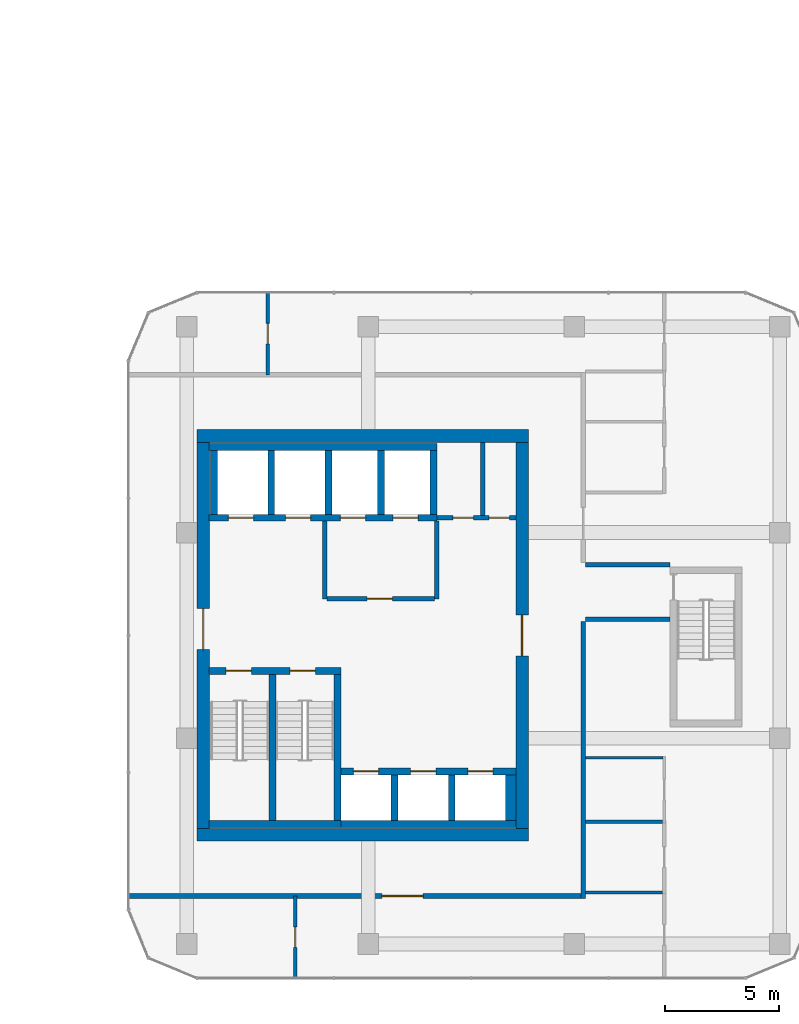
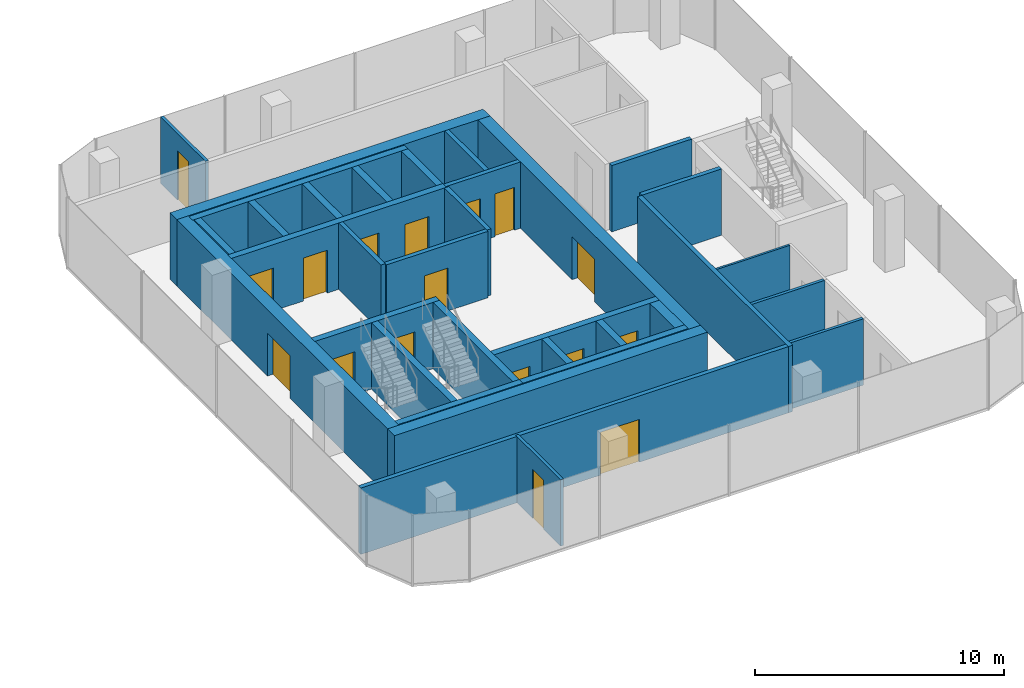
# One storey, part 18 of 23: 34 walls, 17 doors, 17 openings.
"""IFC4 building model written with IfcOpenShell, lengths in metres."""

from ifc_helpers import new_model, si_unit, direction, frame, frame_2d, origin, place, context, subcontext, project, spatial, rectangle, extrude, material, layer, layer_set, type_object, element, fill, save


model = new_model("IFC4")

# Units and contexts
model_context = context("Model", 3, precision=1e-05, world=origin(), true_north=direction((0.0, 1.0)))
body_context = subcontext(model_context, "Body", "Model", "MODEL_VIEW")
ifc_project = project(units=[si_unit("LENGTHUNIT", "METRE"), si_unit("AREAUNIT", "SQUARE_METRE"), si_unit("VOLUMEUNIT", "CUBIC_METRE"), si_unit("PLANEANGLEUNIT", "RADIAN"), si_unit("MASSUNIT", "GRAM", prefix="KILO")], contexts=[model_context])

# Site, building, storey
site_placement = place(None, origin())
site = spatial("IfcSite", under=ifc_project, at=site_placement, CompositionType="ELEMENT")
building_placement = place(site_placement, origin())
building = spatial("IfcBuilding", under=site, at=building_placement, Name="Plateau Cross Towers", CompositionType="ELEMENT")
storey_placement = place(building_placement, frame((0.0, 0.0, 33.800048828125)))
storey = spatial("IfcBuildingStorey", under=building, at=storey_placement, Name="L07", CompositionType="ELEMENT", Elevation=33.800048828125)

# Wall
ifc_material_1 = material(Name="Concrete block, plastered both sides", Category="concrete")
ifc_layer_1 = layer(ifc_material_1, 0.199951171875)
ifc_layer_set_1 = layer_set([ifc_layer_1], Name="Concrete block, plastered both sides")
wall_type_1 = type_object("IfcWallType", Name="Core partition 200", PredefinedType="PARTITIONING", material=ifc_layer_set_1)
wall_1_placement = place(storey_placement, frame((80.60009765625, 10.60009765625, 0.0), z_axis=(0.0, 0.0, 1.0), x_axis=(0.0, 1.0, 0.0)))
element("IfcWall", 1, at=wall_1_placement, inside=storey, type_object=wall_type_1, Name="Core partition", PredefinedType="PARTITIONING", context=body_context, shape_type="SweptSolid", body=[
    extrude(rectangle(XDim=3.39990234375, YDim=0.199951171875, at=frame_2d((1.699951171875, 0.0))), origin(), (0.0, 0.0, 1.0), 3.25),
])

# Wall, opening, door
wall_2_placement = place(storey_placement, frame((80.699951171875, 10.60009765625, 0.0), z_axis=(0.0, 0.0, 1.0), x_axis=(1.0, 0.0, 0.0)))
wall_2 = element("IfcWall", 2, at=wall_2_placement, inside=storey, type_object=wall_type_1, Name="Core partition", PredefinedType="PARTITIONING", context=body_context, shape_type="SweptSolid", body=[
    extrude(rectangle(XDim=4.699951171875, YDim=0.199951171875, at=frame_2d((2.35009765625, 0.0))), origin(), (0.0, 0.0, 1.0), 3.25),
])
opening_1_placement = place(wall_2_placement, frame((1.75, 0.0, 0.0)))
opening_1 = element("IfcOpeningElement", 3, at=opening_1_placement, cuts=wall_2, Name="Opening FFD", PredefinedType="OPENING", context=body_context, shape_type="SweptSolid", body=[
    extrude(rectangle(XDim=1.10009765625, YDim=2.10009765625, at=frame_2d((0.550048828125, 1.050048828125))), frame((0.0, 0.10986328125, 0.0), z_axis=(0.0, -1.0, 0.0), x_axis=(1.0, 0.0, 0.0)), (0.0, 0.0, 1.0), 0.219970703125),
])
ifc_material_2 = material(Name="Steel, fire-resisting leaf", Category="steel")
door_type_1 = type_object("IfcDoorType", Name="Firefighting lobby door 1100", OperationType="NOTDEFINED", PredefinedType="DOOR", material=ifc_material_2)
door_1_placement = place(opening_1_placement, origin())
door_1 = element("IfcDoor", 4, at=door_1_placement, inside=storey, type_object=door_type_1, Name="Firefighting lobby door FFD", OperationType="SINGLE_SWING_LEFT", OverallHeight=2.10009765625, OverallWidth=1.10009765625, PredefinedType="DOOR", context=body_context, shape_type="SweptSolid", body=[
    extrude(rectangle(XDim=1.10009765625, YDim=2.10009765625, at=frame_2d((0.550048828125, 1.050048828125))), frame((0.0, 0.02490234375, 0.0), z_axis=(0.0, -1.0, 0.0), x_axis=(1.0, 0.0, 0.0)), (0.0, 0.0, 1.0), 0.050048828125),
])
fill(opening_1, door_1)

# Wall
wall_3_placement = place(storey_placement, frame((85.5, 10.60009765625, 0.0), z_axis=(0.0, 0.0, 1.0), x_axis=(0.0, 1.0, 0.0)))
element("IfcWall", 5, at=wall_3_placement, inside=storey, type_object=wall_type_1, Name="Core partition", PredefinedType="PARTITIONING", context=body_context, shape_type="SweptSolid", body=[
    extrude(rectangle(XDim=3.39990234375, YDim=0.199951171875, at=frame_2d((1.699951171875, 0.0))), origin(), (0.0, 0.0, 1.0), 3.25),
])

# Wall, openings, doors
wall_4_placement = place(storey_placement, frame((85.5, 14.14990234375, 0.0), z_axis=(0.0, 0.0, 1.0), x_axis=(1.0, 0.0, 0.0)))
wall_4 = element("IfcWall", 6, at=wall_4_placement, inside=storey, type_object=wall_type_1, Name="Core partition", PredefinedType="PARTITIONING", context=body_context, shape_type="SweptSolid", body=[
    extrude(rectangle(XDim=3.449951171875, YDim=0.199951171875, at=frame_2d((1.72509765625, 0.0))), origin(), (0.0, 0.0, 1.0), 3.25),
])
opening_2_placement = place(wall_4_placement, frame((0.699951171875, 0.0, 0.0)))
opening_2 = element("IfcOpeningElement", 7, at=opening_2_placement, cuts=wall_4, Name="Opening RD2", PredefinedType="OPENING", context=body_context, shape_type="SweptSolid", body=[
    extrude(rectangle(XDim=0.89990234375, YDim=2.10009765625, at=frame_2d((0.449951171875, 1.050048828125))), frame((0.0, 0.10986328125, 0.0), z_axis=(0.0, -1.0, 0.0), x_axis=(1.0, 0.0, 0.0)), (0.0, 0.0, 1.0), 0.219970703125),
])
opening_3_placement = place(wall_4_placement, frame((2.27490234375, 0.0, 0.0)))
opening_3 = element("IfcOpeningElement", 8, at=opening_3_placement, cuts=wall_4, Name="Opening RD2", PredefinedType="OPENING", context=body_context, shape_type="SweptSolid", body=[
    extrude(rectangle(XDim=0.89990234375, YDim=2.10009765625, at=frame_2d((0.449951171875, 1.050048828125))), frame((0.0, 0.10986328125, 0.0), z_axis=(0.0, -1.0, 0.0), x_axis=(1.0, 0.0, 0.0)), (0.0, 0.0, 1.0), 0.219970703125),
])
door_type_2 = type_object("IfcDoorType", Name="Core riser door 900", OperationType="NOTDEFINED", PredefinedType="DOOR", material=ifc_material_2)
door_2_placement = place(opening_2_placement, origin())
door_2 = element("IfcDoor", 9, at=door_2_placement, inside=storey, type_object=door_type_2, Name="Core riser door RD2", OperationType="SINGLE_SWING_LEFT", OverallHeight=2.10009765625, OverallWidth=0.89990234375, PredefinedType="DOOR", context=body_context, shape_type="SweptSolid", body=[
    extrude(rectangle(XDim=0.89990234375, YDim=2.10009765625, at=frame_2d((0.449951171875, 1.050048828125))), frame((0.0, 0.02490234375, 0.0), z_axis=(0.0, -1.0, 0.0), x_axis=(1.0, 0.0, 0.0)), (0.0, 0.0, 1.0), 0.050048828125),
])
fill(opening_2, door_2)
door_3_placement = place(opening_3_placement, origin())
door_3 = element("IfcDoor", 10, at=door_3_placement, inside=storey, type_object=door_type_2, Name="Core riser door RD2", OperationType="SINGLE_SWING_LEFT", OverallHeight=2.10009765625, OverallWidth=0.89990234375, PredefinedType="DOOR", context=body_context, shape_type="SweptSolid", body=[
    extrude(rectangle(XDim=0.89990234375, YDim=2.10009765625, at=frame_2d((0.449951171875, 1.050048828125))), frame((0.0, 0.02490234375, 0.0), z_axis=(0.0, -1.0, 0.0), x_axis=(1.0, 0.0, 0.0)), (0.0, 0.0, 1.0), 0.050048828125),
])
fill(opening_3, door_3)

# Walls
wall_5_placement = place(storey_placement, frame((87.5, 14.25, 0.0), z_axis=(0.0, 0.0, 1.0), x_axis=(0.0, 1.0, 0.0)))
element("IfcWall", 11, at=wall_5_placement, inside=storey, type_object=wall_type_1, Name="Core partition", PredefinedType="PARTITIONING", context=body_context, shape_type="SweptSolid", body=[
    extrude(rectangle(XDim=3.199951171875, YDim=0.199951171875, at=frame_2d((1.60009765625, 0.0))), origin(), (0.0, 0.0, 1.0), 3.25),
])
ifc_material_3 = material(Name="Concrete C60/75", Category="concrete")
ifc_layer_2 = layer(ifc_material_3, 0.300048828125)
ifc_layer_set_2 = layer_set([ifc_layer_2], Name="Concrete C60/75")
wall_type_2 = type_object("IfcWallType", Name="Core shaft wall 300", PredefinedType="SHEAR", material=ifc_layer_set_2)
wall_6_placement = place(storey_placement, frame((75.530029296875, 0.75, 0.0), z_axis=(0.0, 0.0, 1.0), x_axis=(1.0, 0.0, 0.0)))
element("IfcWall", 12, at=wall_6_placement, inside=storey, type_object=wall_type_2, Name="B-sb-stS@L07", PredefinedType="SHEAR", context=body_context, shape_type="SweptSolid", body=[
    extrude(rectangle(XDim=5.77001953125, YDim=0.300048828125, at=frame_2d((2.885009765625, 0.0))), origin(), (0.0, 0.0, 1.0), 3.25),
])

# Wall, openings, doors
wall_7_placement = place(storey_placement, frame((75.530029296875, 7.449951171875, 0.0), z_axis=(0.0, 0.0, 1.0), x_axis=(1.0, 0.0, 0.0)))
wall_7 = element("IfcWall", 13, at=wall_7_placement, inside=storey, type_object=wall_type_2, Name="B-sb-stN@L07", PredefinedType="SHEAR", context=body_context, shape_type="SweptSolid", body=[
    extrude(rectangle(XDim=5.77001953125, YDim=0.300048828125, at=frame_2d((2.885009765625, 0.0))), origin(), (0.0, 0.0, 1.0), 3.25),
])
opening_4_placement = place(wall_7_placement, frame((0.75, 0.0, 0.0)))
opening_4 = element("IfcOpeningElement", 14, at=opening_4_placement, cuts=wall_7, Name="Opening SD", PredefinedType="OPENING", context=body_context, shape_type="SweptSolid", body=[
    extrude(rectangle(XDim=1.10009765625, YDim=2.10009765625, at=frame_2d((0.550048828125, 1.050048828125))), frame((0.0, 0.159912109375, 0.0), z_axis=(0.0, -1.0, 0.0), x_axis=(1.0, 0.0, 0.0)), (0.0, 0.0, 1.0), 0.320068359375),
])
opening_5_placement = place(wall_7_placement, frame((3.550048828125, 0.0, 0.0)))
opening_5 = element("IfcOpeningElement", 15, at=opening_5_placement, cuts=wall_7, Name="Opening SD", PredefinedType="OPENING", context=body_context, shape_type="SweptSolid", body=[
    extrude(rectangle(XDim=1.10009765625, YDim=2.10009765625, at=frame_2d((0.550048828125, 1.050048828125))), frame((0.0, 0.159912109375, 0.0), z_axis=(0.0, -1.0, 0.0), x_axis=(1.0, 0.0, 0.0)), (0.0, 0.0, 1.0), 0.320068359375),
])
door_type_3 = type_object("IfcDoorType", Name="Stair door 1100", OperationType="NOTDEFINED", PredefinedType="DOOR", material=ifc_material_2)
door_4_placement = place(opening_4_placement, origin())
door_4 = element("IfcDoor", 16, at=door_4_placement, inside=storey, type_object=door_type_3, Name="Stair door SD", OperationType="SINGLE_SWING_RIGHT", OverallHeight=2.10009765625, OverallWidth=1.10009765625, PredefinedType="DOOR", context=body_context, shape_type="SweptSolid", body=[
    extrude(rectangle(XDim=1.10009765625, YDim=2.10009765625, at=frame_2d((0.550048828125, 1.050048828125))), frame((0.0, 0.02490234375, 0.0), z_axis=(0.0, -1.0, 0.0), x_axis=(1.0, 0.0, 0.0)), (0.0, 0.0, 1.0), 0.050048828125),
])
fill(opening_4, door_4)
door_5_placement = place(opening_5_placement, origin())
door_5 = element("IfcDoor", 17, at=door_5_placement, inside=storey, type_object=door_type_3, Name="Stair door SD", OperationType="SINGLE_SWING_LEFT", OverallHeight=2.10009765625, OverallWidth=1.10009765625, PredefinedType="DOOR", context=body_context, shape_type="SweptSolid", body=[
    extrude(rectangle(XDim=1.10009765625, YDim=2.10009765625, at=frame_2d((0.550048828125, 1.050048828125))), frame((0.0, 0.02490234375, 0.0), z_axis=(0.0, -1.0, 0.0), x_axis=(1.0, 0.0, 0.0)), (0.0, 0.0, 1.0), 0.050048828125),
])
fill(opening_5, door_5)

# Walls
for number, where, z_axis, x_axis, name in (
    (18, (78.300048828125, 0.89990234375, 0.0), (0.0, 0.0, 1.0), (0.0, 1.0, 0.0), "B-sb-st1@L07"),
    (19, (81.14990234375, 0.89990234375, 0.0), (0.0, 0.0, 1.0), (0.0, 1.0, 0.0), "B-sb-st2@L07"),
):
    element("IfcWall", number, at=place(storey_placement, frame(where, z_axis=z_axis, x_axis=x_axis)), inside=storey, type_object=wall_type_2, Name=name, PredefinedType="SHEAR", context=body_context, shape_type="SweptSolid", body=[
        extrude(rectangle(XDim=6.400146484375, YDim=0.300048828125, at=frame_2d((3.2001953125, 0.0))), origin(), (0.0, 0.0, 1.0), 3.25),
    ])
wall_8_placement = place(storey_placement, frame((81.300048828125, 0.75, 0.0), z_axis=(0.0, 0.0, 1.0), x_axis=(1.0, 0.0, 0.0)))
element("IfcWall", 20, at=wall_8_placement, inside=storey, type_object=wall_type_2, Name="B-sb-back@L07", PredefinedType="SHEAR", context=body_context, shape_type="SweptSolid", body=[
    extrude(rectangle(XDim=7.64990234375, YDim=0.300048828125, at=frame_2d((3.824951171875, 0.0))), origin(), (0.0, 0.0, 1.0), 3.25),
])
for number, where, z_axis, x_axis, name in (
    (21, (83.64990234375, 0.89990234375, 0.0), (0.0, 0.0, 1.0), (0.0, 1.0, 0.0), "B-sb-v1@L07"),
    (22, (86.14990234375, 0.89990234375, 0.0), (0.0, 0.0, 1.0), (0.0, 1.0, 0.0), "B-sb-v2@L07"),
):
    element("IfcWall", number, at=place(storey_placement, frame(where, z_axis=z_axis, x_axis=x_axis)), inside=storey, type_object=wall_type_2, Name=name, PredefinedType="SHEAR", context=body_context, shape_type="SweptSolid", body=[
        extrude(rectangle(XDim=2.0, YDim=0.300048828125, at=frame_2d((1.0, 0.0))), origin(), (0.0, 0.0, 1.0), 3.25),
    ])

# Wall, openings, doors
wall_9_placement = place(storey_placement, frame((81.300048828125, 3.050048828125, 0.0), z_axis=(0.0, 0.0, 1.0), x_axis=(1.0, 0.0, 0.0)))
wall_9 = element("IfcWall", 23, at=wall_9_placement, inside=storey, type_object=wall_type_2, Name="B-sb-front@L07", PredefinedType="SHEAR", context=body_context, shape_type="SweptSolid", body=[
    extrude(rectangle(XDim=7.64990234375, YDim=0.300048828125, at=frame_2d((3.824951171875, 0.0))), origin(), (0.0, 0.0, 1.0), 3.25),
])
opening_6_placement = place(wall_9_placement, frame((0.550048828125, 0.0, 0.0)))
opening_6 = element("IfcOpeningElement", 24, at=opening_6_placement, cuts=wall_9, Name="Opening LD", PredefinedType="OPENING", context=body_context, shape_type="SweptSolid", body=[
    extrude(rectangle(XDim=1.10009765625, YDim=2.10009765625, at=frame_2d((0.550048828125, 1.050048828125))), frame((0.0, 0.159912109375, 0.0), z_axis=(0.0, -1.0, 0.0), x_axis=(1.0, 0.0, 0.0)), (0.0, 0.0, 1.0), 0.320068359375),
])
opening_7_placement = place(wall_9_placement, frame((3.050048828125, 0.0, 0.0)))
opening_7 = element("IfcOpeningElement", 25, at=opening_7_placement, cuts=wall_9, Name="Opening LD", PredefinedType="OPENING", context=body_context, shape_type="SweptSolid", body=[
    extrude(rectangle(XDim=1.10009765625, YDim=2.10009765625, at=frame_2d((0.550048828125, 1.050048828125))), frame((0.0, 0.159912109375, 0.0), z_axis=(0.0, -1.0, 0.0), x_axis=(1.0, 0.0, 0.0)), (0.0, 0.0, 1.0), 0.320068359375),
])
opening_8_placement = place(wall_9_placement, frame((5.550048828125, 0.0, 0.0)))
opening_8 = element("IfcOpeningElement", 26, at=opening_8_placement, cuts=wall_9, Name="Opening LD", PredefinedType="OPENING", context=body_context, shape_type="SweptSolid", body=[
    extrude(rectangle(XDim=1.10009765625, YDim=2.10009765625, at=frame_2d((0.550048828125, 1.050048828125))), frame((0.0, 0.159912109375, 0.0), z_axis=(0.0, -1.0, 0.0), x_axis=(1.0, 0.0, 0.0)), (0.0, 0.0, 1.0), 0.320068359375),
])
ifc_material_4 = material(Name="Stainless steel, fire-resisting sliding leaves", Category="steel")
door_type_4 = type_object("IfcDoorType", Name="Lift landing door 1100", OperationType="NOTDEFINED", PredefinedType="DOOR", material=ifc_material_4)
door_6_placement = place(opening_6_placement, origin())
door_6 = element("IfcDoor", 27, at=door_6_placement, inside=storey, type_object=door_type_4, Name="Lift landing door LD", OperationType="DOUBLE_DOOR_SLIDING", OverallHeight=2.10009765625, OverallWidth=1.10009765625, PredefinedType="DOOR", context=body_context, shape_type="SweptSolid", body=[
    extrude(rectangle(XDim=1.10009765625, YDim=2.10009765625, at=frame_2d((0.550048828125, 1.050048828125))), frame((0.0, 0.02490234375, 0.0), z_axis=(0.0, -1.0, 0.0), x_axis=(1.0, 0.0, 0.0)), (0.0, 0.0, 1.0), 0.050048828125),
])
fill(opening_6, door_6)
door_7_placement = place(opening_7_placement, origin())
door_7 = element("IfcDoor", 28, at=door_7_placement, inside=storey, type_object=door_type_4, Name="Lift landing door LD", OperationType="DOUBLE_DOOR_SLIDING", OverallHeight=2.10009765625, OverallWidth=1.10009765625, PredefinedType="DOOR", context=body_context, shape_type="SweptSolid", body=[
    extrude(rectangle(XDim=1.10009765625, YDim=2.10009765625, at=frame_2d((0.550048828125, 1.050048828125))), frame((0.0, 0.02490234375, 0.0), z_axis=(0.0, -1.0, 0.0), x_axis=(1.0, 0.0, 0.0)), (0.0, 0.0, 1.0), 0.050048828125),
])
fill(opening_7, door_7)
door_8_placement = place(opening_8_placement, origin())
door_8 = element("IfcDoor", 29, at=door_8_placement, inside=storey, type_object=door_type_4, Name="Lift landing door LD", OperationType="DOUBLE_DOOR_SLIDING", OverallHeight=2.10009765625, OverallWidth=1.10009765625, PredefinedType="DOOR", context=body_context, shape_type="SweptSolid", body=[
    extrude(rectangle(XDim=1.10009765625, YDim=2.10009765625, at=frame_2d((0.550048828125, 1.050048828125))), frame((0.0, 0.02490234375, 0.0), z_axis=(0.0, -1.0, 0.0), x_axis=(1.0, 0.0, 0.0)), (0.0, 0.0, 1.0), 0.050048828125),
])
fill(opening_8, door_8)

# Wall
wall_10_placement = place(storey_placement, frame((75.530029296875, 17.25, 0.0), z_axis=(0.0, 0.0, 1.0), x_axis=(1.0, 0.0, 0.0)))
element("IfcWall", 30, at=wall_10_placement, inside=storey, type_object=wall_type_2, Name="B-nb-back@L07", PredefinedType="SHEAR", context=body_context, shape_type="SweptSolid", body=[
    extrude(rectangle(XDim=9.969970703125, YDim=0.300048828125, at=frame_2d((4.98486328125, 0.0))), origin(), (0.0, 0.0, 1.0), 3.25),
])

# Wall, openings, doors
wall_11_placement = place(storey_placement, frame((75.530029296875, 14.14990234375, 0.0), z_axis=(0.0, 0.0, 1.0), x_axis=(1.0, 0.0, 0.0)))
wall_11 = element("IfcWall", 31, at=wall_11_placement, inside=storey, type_object=wall_type_2, Name="B-nb-front@L07", PredefinedType="SHEAR", context=body_context, shape_type="SweptSolid", body=[
    extrude(rectangle(XDim=9.969970703125, YDim=0.300048828125, at=frame_2d((4.98486328125, 0.0))), origin(), (0.0, 0.0, 1.0), 3.25),
])
opening_9_placement = place(wall_11_placement, frame((0.85009765625, 0.0, 0.0)))
opening_9 = element("IfcOpeningElement", 32, at=opening_9_placement, cuts=wall_11, Name="Opening LD", PredefinedType="OPENING", context=body_context, shape_type="SweptSolid", body=[
    extrude(rectangle(XDim=1.10009765625, YDim=2.10009765625, at=frame_2d((0.550048828125, 1.050048828125))), frame((0.0, 0.159912109375, 0.0), z_axis=(0.0, -1.0, 0.0), x_axis=(1.0, 0.0, 0.0)), (0.0, 0.0, 1.0), 0.320068359375),
])
opening_10_placement = place(wall_11_placement, frame((3.35009765625, 0.0, 0.0)))
opening_10 = element("IfcOpeningElement", 33, at=opening_10_placement, cuts=wall_11, Name="Opening LD", PredefinedType="OPENING", context=body_context, shape_type="SweptSolid", body=[
    extrude(rectangle(XDim=1.10009765625, YDim=2.10009765625, at=frame_2d((0.550048828125, 1.050048828125))), frame((0.0, 0.159912109375, 0.0), z_axis=(0.0, -1.0, 0.0), x_axis=(1.0, 0.0, 0.0)), (0.0, 0.0, 1.0), 0.320068359375),
])
opening_11_placement = place(wall_11_placement, frame((5.75, 0.0, 0.0)))
opening_11 = element("IfcOpeningElement", 34, at=opening_11_placement, cuts=wall_11, Name="Opening LD", PredefinedType="OPENING", context=body_context, shape_type="SweptSolid", body=[
    extrude(rectangle(XDim=1.10009765625, YDim=2.10009765625, at=frame_2d((0.550048828125, 1.050048828125))), frame((0.0, 0.159912109375, 0.0), z_axis=(0.0, -1.0, 0.0), x_axis=(1.0, 0.0, 0.0)), (0.0, 0.0, 1.0), 0.320068359375),
])
opening_12_placement = place(wall_11_placement, frame((8.050048828125, 0.0, 0.0)))
opening_12 = element("IfcOpeningElement", 35, at=opening_12_placement, cuts=wall_11, Name="Opening LD", PredefinedType="OPENING", context=body_context, shape_type="SweptSolid", body=[
    extrude(rectangle(XDim=1.10009765625, YDim=2.10009765625, at=frame_2d((0.550048828125, 1.050048828125))), frame((0.0, 0.159912109375, 0.0), z_axis=(0.0, -1.0, 0.0), x_axis=(1.0, 0.0, 0.0)), (0.0, 0.0, 1.0), 0.320068359375),
])
door_9_placement = place(opening_9_placement, origin())
door_9 = element("IfcDoor", 36, at=door_9_placement, inside=storey, type_object=door_type_4, Name="Lift landing door LD", OperationType="DOUBLE_DOOR_SLIDING", OverallHeight=2.10009765625, OverallWidth=1.10009765625, PredefinedType="DOOR", context=body_context, shape_type="SweptSolid", body=[
    extrude(rectangle(XDim=1.10009765625, YDim=2.10009765625, at=frame_2d((0.550048828125, 1.050048828125))), frame((0.0, 0.02490234375, 0.0), z_axis=(0.0, -1.0, 0.0), x_axis=(1.0, 0.0, 0.0)), (0.0, 0.0, 1.0), 0.050048828125),
])
fill(opening_9, door_9)
door_10_placement = place(opening_10_placement, origin())
door_10 = element("IfcDoor", 37, at=door_10_placement, inside=storey, type_object=door_type_4, Name="Lift landing door LD", OperationType="DOUBLE_DOOR_SLIDING", OverallHeight=2.10009765625, OverallWidth=1.10009765625, PredefinedType="DOOR", context=body_context, shape_type="SweptSolid", body=[
    extrude(rectangle(XDim=1.10009765625, YDim=2.10009765625, at=frame_2d((0.550048828125, 1.050048828125))), frame((0.0, 0.02490234375, 0.0), z_axis=(0.0, -1.0, 0.0), x_axis=(1.0, 0.0, 0.0)), (0.0, 0.0, 1.0), 0.050048828125),
])
fill(opening_10, door_10)
door_11_placement = place(opening_11_placement, origin())
door_11 = element("IfcDoor", 38, at=door_11_placement, inside=storey, type_object=door_type_4, Name="Lift landing door LD", OperationType="DOUBLE_DOOR_SLIDING", OverallHeight=2.10009765625, OverallWidth=1.10009765625, PredefinedType="DOOR", context=body_context, shape_type="SweptSolid", body=[
    extrude(rectangle(XDim=1.10009765625, YDim=2.10009765625, at=frame_2d((0.550048828125, 1.050048828125))), frame((0.0, 0.02490234375, 0.0), z_axis=(0.0, -1.0, 0.0), x_axis=(1.0, 0.0, 0.0)), (0.0, 0.0, 1.0), 0.050048828125),
])
fill(opening_11, door_11)
door_12_placement = place(opening_12_placement, origin())
door_12 = element("IfcDoor", 39, at=door_12_placement, inside=storey, type_object=door_type_4, Name="Lift landing door LD", OperationType="DOUBLE_DOOR_SLIDING", OverallHeight=2.10009765625, OverallWidth=1.10009765625, PredefinedType="DOOR", context=body_context, shape_type="SweptSolid", body=[
    extrude(rectangle(XDim=1.10009765625, YDim=2.10009765625, at=frame_2d((0.550048828125, 1.050048828125))), frame((0.0, 0.02490234375, 0.0), z_axis=(0.0, -1.0, 0.0), x_axis=(1.0, 0.0, 0.0)), (0.0, 0.0, 1.0), 0.050048828125),
])
fill(opening_12, door_12)

# Walls
for number, where, z_axis, x_axis, name in (
    (40, (75.75, 14.300048828125, 0.0), (0.0, 0.0, 1.0), (0.0, 1.0, 0.0), "B-nb-v0@L07"),
    (41, (78.25, 14.300048828125, 0.0), (0.0, 0.0, 1.0), (0.0, 1.0, 0.0), "B-nb-v1@L07"),
    (42, (80.75, 14.300048828125, 0.0), (0.0, 0.0, 1.0), (0.0, 1.0, 0.0), "B-nb-v2@L07"),
    (43, (83.050048828125, 14.300048828125, 0.0), (0.0, 0.0, 1.0), (0.0, 1.0, 0.0), "B-nb-v3@L07"),
    (44, (85.35009765625, 14.300048828125, 0.0), (0.0, 0.0, 1.0), (0.0, 1.0, 0.0), "B-nb-v4@L07"),
):
    element("IfcWall", number, at=place(storey_placement, frame(where, z_axis=z_axis, x_axis=x_axis)), inside=storey, type_object=wall_type_2, Name=name, PredefinedType="SHEAR", context=body_context, shape_type="SweptSolid", body=[
        extrude(rectangle(XDim=2.800048828125, YDim=0.300048828125, at=frame_2d((1.39990234375, 0.0))), origin(), (0.0, 0.0, 1.0), 3.25),
    ])
ifc_layer_3 = layer(ifc_material_3, 0.449951171875)
ifc_layer_set_3 = layer_set([ifc_layer_3], Name="Concrete C60/75")
wall_type_3 = type_object("IfcWallType", Name="Core shaft wall 450", PredefinedType="SHEAR", material=ifc_layer_set_3)
wall_12_placement = place(storey_placement, frame((88.72509765625, 0.89990234375, 0.0), z_axis=(0.0, 0.0, 1.0), x_axis=(0.0, 1.0, 0.0)))
element("IfcWall", 45, at=wall_12_placement, inside=storey, type_object=wall_type_3, Name="B-sb-v3@L07", PredefinedType="SHEAR", context=body_context, shape_type="SweptSolid", body=[
    extrude(rectangle(XDim=2.0, YDim=0.449951171875, at=frame_2d((1.0, 0.0))), origin(), (0.0, 0.0, 1.0), 3.25),
])
ifc_layer_4 = layer(ifc_material_3, 0.550048828125)
ifc_layer_set_4 = layer_set([ifc_layer_4], Name="Concrete C60/75")
wall_type_4 = type_object("IfcWallType", Name="Core shell wall 550", PredefinedType="SHEAR", material=ifc_layer_set_4)
for number, where, z_axis, x_axis, name in (
    (46, (75.0, 0.27490234375, 0.0), (0.0, 0.0, 1.0), (1.0, 0.0, 0.0), "B-core-S@L07"),
    (47, (75.0, 17.72509765625, 0.0), (0.0, 0.0, 1.0), (1.0, 0.0, 0.0), "B-core-N@L07"),
):
    element("IfcWall", number, at=place(storey_placement, frame(where, z_axis=z_axis, x_axis=x_axis)), inside=storey, type_object=wall_type_4, Name=name, PredefinedType="SHEAR", context=body_context, shape_type="SweptSolid", body=[
        extrude(rectangle(XDim=14.5, YDim=0.550048828125, at=frame_2d((7.25, 0.0))), origin(), (0.0, 0.0, 1.0), 3.25),
    ])

# Wall, opening, door
wall_13_placement = place(storey_placement, frame((75.27490234375, 0.550048828125, 0.0), z_axis=(0.0, 0.0, 1.0), x_axis=(0.0, 1.0, 0.0)))
wall_13 = element("IfcWall", 48, at=wall_13_placement, inside=storey, type_object=wall_type_4, Name="B-core-W@L07", PredefinedType="SHEAR", context=body_context, shape_type="SweptSolid", body=[
    extrude(rectangle(XDim=16.89990234375, YDim=0.550048828125, at=frame_2d((8.449951171875, 0.0))), origin(), (0.0, 0.0, 1.0), 3.25),
])
opening_13_placement = place(wall_13_placement, frame((7.824951171875, 0.0, 0.0)))
opening_13 = element("IfcOpeningElement", 49, at=opening_13_placement, cuts=wall_13, Name="Opening CD", PredefinedType="OPENING", context=body_context, shape_type="SweptSolid", body=[
    extrude(rectangle(XDim=1.800048828125, YDim=2.10009765625, at=frame_2d((0.89990234375, 1.050048828125))), frame((0.0, 0.284912109375, 0.0), z_axis=(0.0, -1.0, 0.0), x_axis=(1.0, 0.0, 0.0)), (0.0, 0.0, 1.0), 0.570068359375),
])
ifc_material_5 = material(Name="Steel, fire-resisting leaves", Category="steel")
door_type_5 = type_object("IfcDoorType", Name="Corridor door pair 1800", OperationType="NOTDEFINED", PredefinedType="DOOR", material=ifc_material_5)
door_13_placement = place(opening_13_placement, origin())
door_13 = element("IfcDoor", 50, at=door_13_placement, inside=storey, type_object=door_type_5, Name="Corridor door pair CD", OperationType="DOUBLE_DOOR_SINGLE_SWING", OverallHeight=2.10009765625, OverallWidth=1.800048828125, PredefinedType="DOOR", context=body_context, shape_type="SweptSolid", body=[
    extrude(rectangle(XDim=1.800048828125, YDim=2.10009765625, at=frame_2d((0.89990234375, 1.050048828125))), frame((0.0, 0.02490234375, 0.0), z_axis=(0.0, -1.0, 0.0), x_axis=(1.0, 0.0, 0.0)), (0.0, 0.0, 1.0), 0.050048828125),
])
fill(opening_13, door_13)

wall_14_placement = place(storey_placement, frame((89.22509765625, 0.550048828125, 0.0), z_axis=(0.0, 0.0, 1.0), x_axis=(0.0, 1.0, 0.0)))
wall_14 = element("IfcWall", 51, at=wall_14_placement, inside=storey, type_object=wall_type_4, Name="B-core-E@L07", PredefinedType="SHEAR", context=body_context, shape_type="SweptSolid", body=[
    extrude(rectangle(XDim=16.89990234375, YDim=0.550048828125, at=frame_2d((8.449951171875, 0.0))), origin(), (0.0, 0.0, 1.0), 3.25),
])
opening_14_placement = place(wall_14_placement, frame((7.550048828125, 0.0, 0.0)))
opening_14 = element("IfcOpeningElement", 52, at=opening_14_placement, cuts=wall_14, Name="Opening CD", PredefinedType="OPENING", context=body_context, shape_type="SweptSolid", body=[
    extrude(rectangle(XDim=1.800048828125, YDim=2.10009765625, at=frame_2d((0.89990234375, 1.050048828125))), frame((0.0, 0.284912109375, 0.0), z_axis=(0.0, -1.0, 0.0), x_axis=(1.0, 0.0, 0.0)), (0.0, 0.0, 1.0), 0.570068359375),
])
door_14_placement = place(opening_14_placement, origin())
door_14 = element("IfcDoor", 53, at=door_14_placement, inside=storey, type_object=door_type_5, Name="Corridor door pair CD", OperationType="DOUBLE_DOOR_SINGLE_SWING", OverallHeight=2.10009765625, OverallWidth=1.800048828125, PredefinedType="DOOR", context=body_context, shape_type="SweptSolid", body=[
    extrude(rectangle(XDim=1.800048828125, YDim=2.10009765625, at=frame_2d((0.89990234375, 1.050048828125))), frame((0.0, 0.02490234375, 0.0), z_axis=(0.0, -1.0, 0.0), x_axis=(1.0, 0.0, 0.0)), (0.0, 0.0, 1.0), 0.050048828125),
])
fill(opening_14, door_14)

ifc_material_6 = material(Name="Gypsum board on steel studs, two layers each side", Category="steel")
ifc_layer_5 = layer(ifc_material_6, 0.199951171875)
ifc_layer_set_5 = layer_set([ifc_layer_5], Name="Gypsum board on steel studs, two layers each side")
wall_type_5 = type_object("IfcWallType", Name="Corridor wall 200", PredefinedType="PARTITIONING", material=ifc_layer_set_5)
wall_15_placement = place(storey_placement, frame((72.0, -2.39990234375, 0.0), z_axis=(0.0, 0.0, 1.0), x_axis=(1.0, 0.0, 0.0)))
wall_15 = element("IfcWall", 54, at=wall_15_placement, inside=storey, type_object=wall_type_5, Name="Ring wall", PredefinedType="PARTITIONING", context=body_context, shape_type="SweptSolid", body=[
    extrude(rectangle(XDim=20.0, YDim=0.199951171875, at=frame_2d((10.0, 0.0))), origin(), (0.0, 0.0, 1.0), 3.25),
])
opening_15_placement = place(wall_15_placement, frame((11.10009765625, 0.0, 0.0)))
opening_15 = element("IfcOpeningElement", 55, at=opening_15_placement, cuts=wall_15, Name="Opening D-BE18", PredefinedType="OPENING", context=body_context, shape_type="SweptSolid", body=[
    extrude(rectangle(XDim=1.800048828125, YDim=2.10009765625, at=frame_2d((0.89990234375, 1.050048828125))), frame((0.0, 0.10986328125, 0.0), z_axis=(0.0, -1.0, 0.0), x_axis=(1.0, 0.0, 0.0)), (0.0, 0.0, 1.0), 0.219970703125),
])
ifc_material_7 = material(Name="Timber, fire-resisting leaves", Category="wood")
door_type_6 = type_object("IfcDoorType", Name="Tenant entrance door pair 1800", OperationType="NOTDEFINED", PredefinedType="DOOR", material=ifc_material_7)
door_15_placement = place(opening_15_placement, origin())
door_15 = element("IfcDoor", 56, at=door_15_placement, inside=storey, type_object=door_type_6, Name="Door D-BE18", OperationType="DOUBLE_DOOR_SINGLE_SWING", OverallHeight=2.10009765625, OverallWidth=1.800048828125, PredefinedType="DOOR", context=body_context, shape_type="SweptSolid", body=[
    extrude(rectangle(XDim=1.800048828125, YDim=2.10009765625, at=frame_2d((0.89990234375, 1.050048828125))), frame((0.0, 0.02490234375, 0.0), z_axis=(0.0, -1.0, 0.0), x_axis=(1.0, 0.0, 0.0)), (0.0, 0.0, 1.0), 0.050048828125),
])
fill(opening_15, door_15)

# Walls
wall_16_placement = place(storey_placement, frame((91.89990234375, -2.5, 0.0), z_axis=(0.0, 0.0, 1.0), x_axis=(0.0, 1.0, 0.0)))
element("IfcWall", 57, at=wall_16_placement, inside=storey, type_object=wall_type_5, Name="Ring wall", PredefinedType="PARTITIONING", context=body_context, shape_type="SweptSolid", body=[
    extrude(rectangle(XDim=12.10009765625, YDim=0.199951171875, at=frame_2d((6.050048828125, 0.0))), origin(), (0.0, 0.0, 1.0), 3.25),
])
for number, where, z_axis, x_axis, name in (
    (58, (92.0, 9.699951171875, 0.0), (0.0, 0.0, 1.0), (1.0, 0.0, 0.0), "Ring wall"),
    (59, (92.0, 12.10009765625, 0.0), (0.0, 0.0, 1.0), (1.0, 0.0, 0.0), "Ring wall"),
):
    element("IfcWall", number, at=place(storey_placement, frame(where, z_axis=z_axis, x_axis=x_axis)), inside=storey, type_object=wall_type_5, Name=name, PredefinedType="PARTITIONING", context=body_context, shape_type="SweptSolid", body=[
        extrude(rectangle(XDim=3.699951171875, YDim=0.199951171875, at=frame_2d((1.85009765625, 0.0))), origin(), (0.0, 0.0, 1.0), 3.25),
    ])

# Wall, opening, door
ifc_material_8 = material(Name="Gypsum board on staggered steel studs, mineral wool, two layers each side", Category="steel")
ifc_layer_6 = layer(ifc_material_8, 0.139892578125)
ifc_layer_set_6 = layer_set([ifc_layer_6], Name="Gypsum board on staggered steel studs, mineral wool, two layers each side")
wall_type_6 = type_object("IfcWallType", Name="Meeting room acoustic partition 140", PredefinedType="PARTITIONING", material=ifc_layer_set_6)
wall_17_placement = place(storey_placement, frame((79.300048828125, -6.0, 0.0), z_axis=(0.0, 0.0, 1.0), x_axis=(0.0, 1.0, 0.0)))
wall_17 = element("IfcWall", 60, at=wall_17_placement, inside=storey, type_object=wall_type_6, Name="Acoustic wall", PredefinedType="PARTITIONING", context=body_context, shape_type="SweptSolid", body=[
    extrude(rectangle(XDim=3.60009765625, YDim=0.139892578125, at=frame_2d((1.800048828125, 0.0))), origin(), (0.0, 0.0, 1.0), 3.25),
])
opening_16_placement = place(wall_17_placement, frame((1.35009765625, 0.0, 0.0)))
opening_16 = element("IfcOpeningElement", 61, at=opening_16_placement, cuts=wall_17, Name="Opening D-BM9", PredefinedType="OPENING", context=body_context, shape_type="SweptSolid", body=[
    extrude(rectangle(XDim=0.89990234375, YDim=2.39990234375, at=frame_2d((0.449951171875, 1.199951171875))), frame((0.0, 0.079833984375, 0.0), z_axis=(0.0, -1.0, 0.0), x_axis=(1.0, 0.0, 0.0)), (0.0, 0.0, 1.0), 0.159912109375),
])
ifc_material_9 = material(Name="Timber leaf, full height", Category="wood")
door_type_7 = type_object("IfcDoorType", Name="Meeting room door 900x2400", OperationType="NOTDEFINED", PredefinedType="DOOR", material=ifc_material_9)
door_16_placement = place(opening_16_placement, origin())
door_16 = element("IfcDoor", 62, at=door_16_placement, inside=storey, type_object=door_type_7, Name="Door D-BM9", OperationType="SINGLE_SWING_LEFT", OverallHeight=2.39990234375, OverallWidth=0.89990234375, PredefinedType="DOOR", context=body_context, shape_type="SweptSolid", body=[
    extrude(rectangle(XDim=0.89990234375, YDim=2.39990234375, at=frame_2d((0.449951171875, 1.199951171875))), frame((0.0, 0.02490234375, 0.0), z_axis=(0.0, -1.0, 0.0), x_axis=(1.0, 0.0, 0.0)), (0.0, 0.0, 1.0), 0.050048828125),
])
fill(opening_16, door_16)

# Walls
for number, where, z_axis, x_axis, name in (
    (63, (92.0, -2.25, 0.0), (0.0, 0.0, 1.0), (1.0, 0.0, 0.0), "Acoustic wall"),
    (64, (92.0, 0.85009765625, 0.0), (0.0, 0.0, 1.0), (1.0, 0.0, 0.0), "Acoustic wall"),
):
    element("IfcWall", number, at=place(storey_placement, frame(where, z_axis=z_axis, x_axis=x_axis)), inside=storey, type_object=wall_type_6, Name=name, PredefinedType="PARTITIONING", context=body_context, shape_type="SweptSolid", body=[
        extrude(rectangle(XDim=3.3798828125, YDim=0.139892578125, at=frame_2d((1.68994140625, 0.0))), origin(), (0.0, 0.0, 1.0), 3.25),
    ])

# Wall, opening, door
wall_18_placement = place(storey_placement, frame((78.10009765625, 20.39990234375, 0.0), z_axis=(0.0, 0.0, 1.0), x_axis=(0.0, 1.0, 0.0)))
wall_18 = element("IfcWall", 65, at=wall_18_placement, inside=storey, type_object=wall_type_6, Name="Acoustic wall", PredefinedType="PARTITIONING", context=body_context, shape_type="SweptSolid", body=[
    extrude(rectangle(XDim=3.60009765625, YDim=0.139892578125, at=frame_2d((1.800048828125, 0.0))), origin(), (0.0, 0.0, 1.0), 3.25),
])
opening_17_placement = place(wall_18_placement, frame((1.35009765625, 0.0, 0.0)))
opening_17 = element("IfcOpeningElement", 66, at=opening_17_placement, cuts=wall_18, Name="Opening D-BM9", PredefinedType="OPENING", context=body_context, shape_type="SweptSolid", body=[
    extrude(rectangle(XDim=0.89990234375, YDim=2.39990234375, at=frame_2d((0.449951171875, 1.199951171875))), frame((0.0, 0.079833984375, 0.0), z_axis=(0.0, -1.0, 0.0), x_axis=(1.0, 0.0, 0.0)), (0.0, 0.0, 1.0), 0.159912109375),
])
door_17_placement = place(opening_17_placement, origin())
door_17 = element("IfcDoor", 67, at=door_17_placement, inside=storey, type_object=door_type_7, Name="Door D-BM9", OperationType="SINGLE_SWING_LEFT", OverallHeight=2.39990234375, OverallWidth=0.89990234375, PredefinedType="DOOR", context=body_context, shape_type="SweptSolid", body=[
    extrude(rectangle(XDim=0.89990234375, YDim=2.39990234375, at=frame_2d((0.449951171875, 1.199951171875))), frame((0.0, 0.02490234375, 0.0), z_axis=(0.0, -1.0, 0.0), x_axis=(1.0, 0.0, 0.0)), (0.0, 0.0, 1.0), 0.050048828125),
])
fill(opening_17, door_17)

# Wall
ifc_material_10 = material(Name="Gypsum board on steel studs", Category="steel")
ifc_layer_7 = layer(ifc_material_10, 0.10009765625)
ifc_layer_set_7 = layer_set([ifc_layer_7], Name="Gypsum board on steel studs")
wall_type_7 = type_object("IfcWallType", Name="Office partition 100", PredefinedType="PARTITIONING", material=ifc_layer_set_7)
wall_19_placement = place(storey_placement, frame((92.0, 3.64990234375, 0.0), z_axis=(0.0, 0.0, 1.0), x_axis=(1.0, 0.0, 0.0)))
element("IfcWall", 68, at=wall_19_placement, inside=storey, type_object=wall_type_7, Name="Part wall", PredefinedType="PARTITIONING", context=body_context, shape_type="SweptSolid", body=[
    extrude(rectangle(XDim=3.39990234375, YDim=0.10009765625, at=frame_2d((1.699951171875, 0.0))), origin(), (0.0, 0.0, 1.0), 3.25),
])

save(model, "model.ifc")
